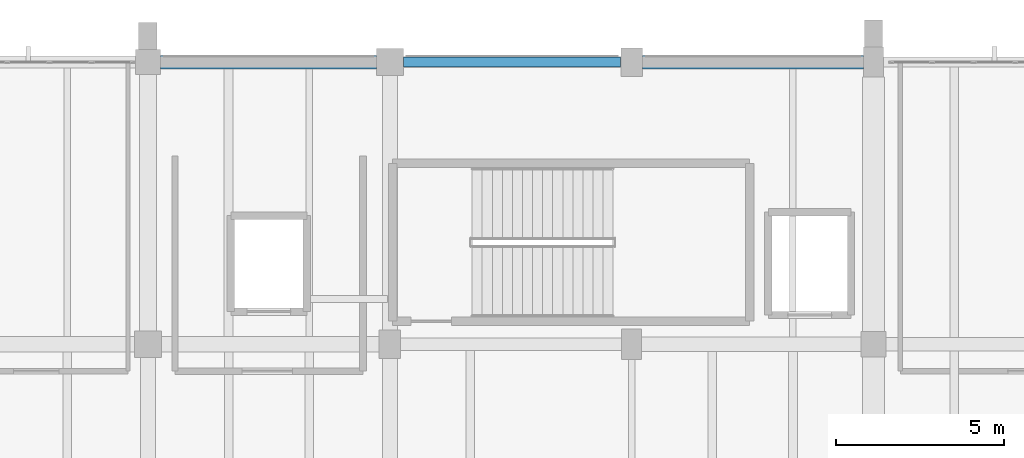
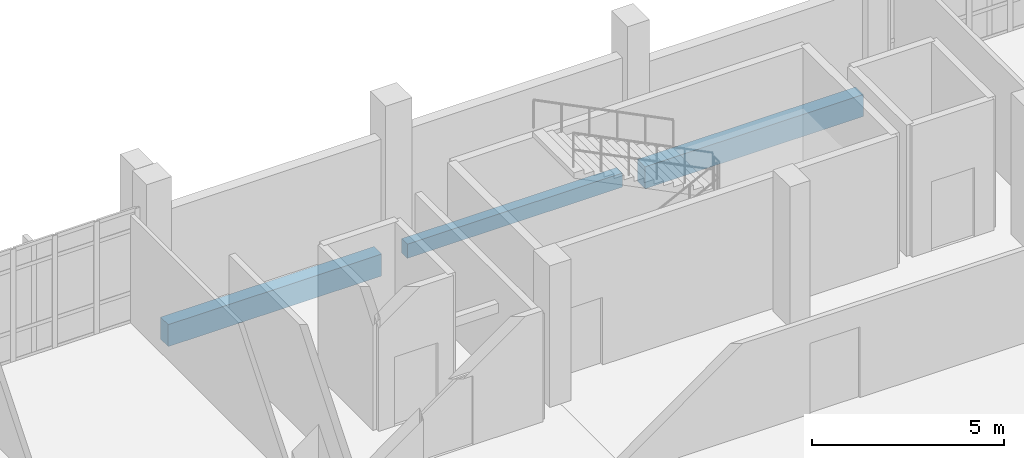
# One storey, part 65 of 116: 3 beams.
"""IFC4 building model written with IfcOpenShell, lengths in metres."""

from ifc_helpers import new_model, si_unit, direction, frame, origin, origin_2d, place, context, subcontext, project, spatial, rectangle, extrude, material, material_profile, profile_set, type_object, element, save


model = new_model("IFC4")

# Units and contexts
model_context = context("Model", 3, precision=1e-05, world=origin(), true_north=direction((0.0, 1.0)))
body_context = subcontext(model_context, "Body", "Model", "MODEL_VIEW")
ifc_project = project(units=[si_unit("LENGTHUNIT", "METRE"), si_unit("AREAUNIT", "SQUARE_METRE"), si_unit("VOLUMEUNIT", "CUBIC_METRE"), si_unit("PLANEANGLEUNIT", "RADIAN"), si_unit("MASSUNIT", "GRAM", prefix="KILO")], contexts=[model_context])

# Site, building, storey
site_placement = place(None, origin())
site = spatial("IfcSite", under=ifc_project, at=site_placement, CompositionType="ELEMENT")
building_placement = place(site_placement, origin())
building = spatial("IfcBuilding", under=site, at=building_placement, Name="Kalluvel Institute of Natural Sciences", CompositionType="ELEMENT")
storey_placement = place(building_placement, frame((0.0, 0.0, 14.39990234375)))
storey = spatial("IfcBuildingStorey", under=building, at=storey_placement, Name="L03", CompositionType="ELEMENT", Elevation=14.39990234375)

# Beams
ifc_material = material(Name="Concrete M40", Category="concrete")
ifc_material_profile_1 = material_profile(ifc_material, rectangle(XDim=0.300048828125, YDim=0.449951171875, at=origin_2d()), Name="RCB 300x450")
ifc_profile_set_1 = profile_set([ifc_material_profile_1], Name="Concrete M40")
beam_type_1 = type_object("IfcBeamType", Name="SP-RC300x450", PredefinedType="SPANDREL", material=ifc_profile_set_1)
beam_1_placement = place(storey_placement, frame((64.800048828125, 128.0, -0.544921875), z_axis=(1.0, 0.0, 0.0), x_axis=(0.0, 1.0, 0.0)))
element("IfcBeam", 1, at=beam_1_placement, inside=storey, type_object=beam_type_1, Name="L03 girder GIR-L03-EW-X644-Y1280", PredefinedType="SPANDREL", context=body_context, shape_type="SweptSolid", body=[
    extrude(rectangle(XDim=0.300048828125, YDim=0.449951171875, at=origin_2d()), origin(), (0.0, 0.0, 1.0), 6.474853515625),
])
ifc_material_profile_2 = material_profile(ifc_material, rectangle(XDim=0.39990234375, YDim=0.699951171875, at=origin_2d()), Name="RCB 400x700")
ifc_profile_set_2 = profile_set([ifc_material_profile_2], Name="Concrete M40")
beam_type_2 = type_object("IfcBeamType", Name="SP-RC400x700", PredefinedType="SPANDREL", material=ifc_profile_set_2)
beam_2_placement = place(storey_placement, frame((57.574951171875, 128.0, -0.669921875), z_axis=(1.0, 0.0, 0.0), x_axis=(0.0, 1.0, 0.0)))
element("IfcBeam", 2, at=beam_2_placement, inside=storey, type_object=beam_type_2, Name="L03 girder GIR-L03-EW-X572-Y1280", PredefinedType="SPANDREL", context=body_context, shape_type="SweptSolid", body=[
    extrude(rectangle(XDim=0.39990234375, YDim=0.699951171875, at=origin_2d()), origin(), (0.0, 0.0, 1.0), 6.425048828125),
])
beam_3_placement = place(storey_placement, frame((71.925048828125, 128.0, -0.669921875), z_axis=(1.0, 0.0, 0.0), x_axis=(0.0, 1.0, 0.0)))
element("IfcBeam", 3, at=beam_3_placement, inside=storey, type_object=beam_type_2, Name="L03 girder GIR-L03-EW-X716-Y1280", PredefinedType="SPANDREL", context=body_context, shape_type="SweptSolid", body=[
    extrude(rectangle(XDim=0.39990234375, YDim=0.699951171875, at=origin_2d()), origin(), (0.0, 0.0, 1.0), 6.574951171875),
])

save(model, "model.ifc")
